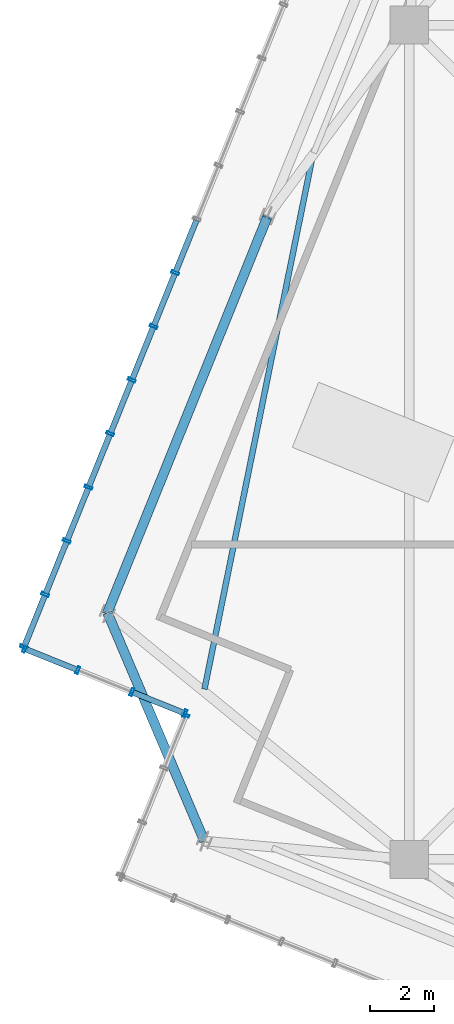
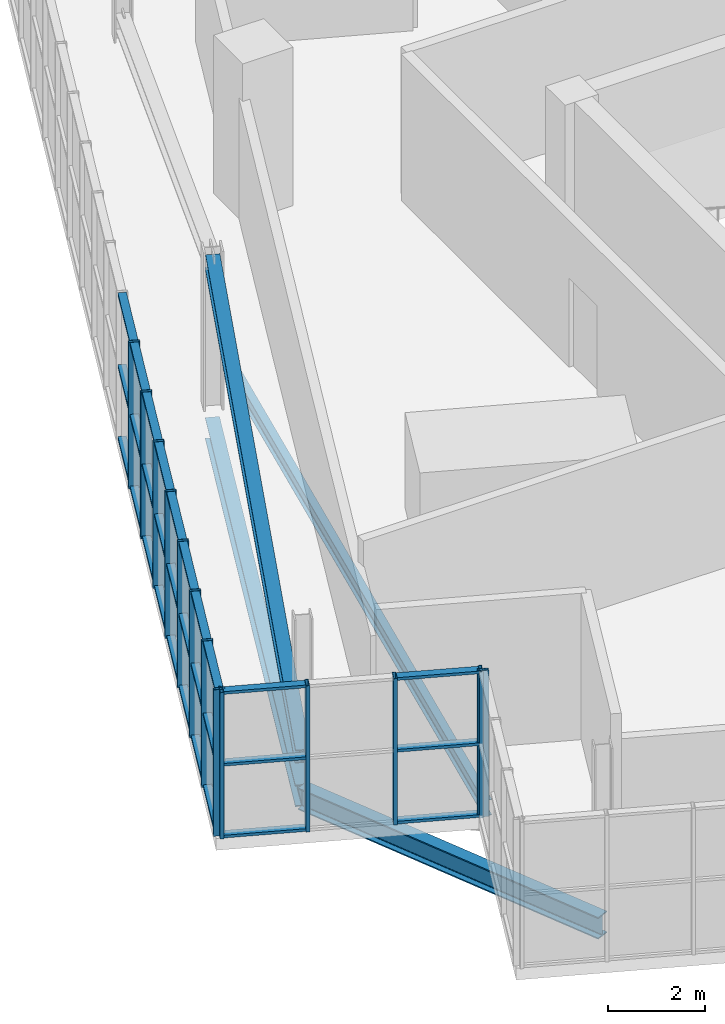
# One storey, part 6 of 26: 44 members, 3 beams, 3 elements without a shape of their own.
"""IFC4 building model written with IfcOpenShell, lengths in metres."""

from ifc_helpers import new_model, si_unit, direction, frame, origin, origin_2d, place, context, subcontext, project, spatial, hollow_rectangle, i_section, extrude, source, transform, mapped, material, layer, layer_set, material_profile, profile_set, type_object, element, aggregate, save


model = new_model("IFC4")

# Units and contexts
model_context = context("Model", 3, precision=1e-05, world=origin(), true_north=direction((0.0, 1.0)))
body_context = subcontext(model_context, "Body", "Model", "MODEL_VIEW")
ifc_project = project(units=[si_unit("LENGTHUNIT", "METRE"), si_unit("AREAUNIT", "SQUARE_METRE"), si_unit("VOLUMEUNIT", "CUBIC_METRE"), si_unit("PLANEANGLEUNIT", "RADIAN"), si_unit("MASSUNIT", "GRAM", prefix="KILO"), si_unit("THERMODYNAMICTEMPERATUREUNIT", "KELVIN")], contexts=[model_context])

# Site, building, storey
site_placement = place(None, origin())
site = spatial("IfcSite", under=ifc_project, at=site_placement, CompositionType="ELEMENT")
building_placement = place(site_placement, origin())
building = spatial("IfcBuilding", under=site, at=building_placement, Name="Kosmvard Interchange Tower", CompositionType="ELEMENT")
storey_placement = place(building_placement, frame((0.0, 0.0, 329.60009765625)))
storey = spatial("IfcBuildingStorey", under=building, at=storey_placement, Name="L81", CompositionType="ELEMENT", Elevation=329.60009765625)

# Member
ifc_material_1 = material(Name="Steel S355", Category="steel")
ifc_material_profile_1 = material_profile(ifc_material_1, i_section(OverallWidth=0.300048828125, OverallDepth=0.39990234375, WebThickness=0.013427734375, FlangeThickness=0.02392578125, FilletRadius=0.027099609375, at=origin_2d()), Name="HEB 400")
ifc_profile_set_1 = profile_set([ifc_material_profile_1], Name="Steel S355")
member_type_1 = type_object("IfcMemberType", Name="Lantern Crown Diagrid Brace HEB 400 S355", PredefinedType="BRACE", material=ifc_profile_set_1)
shared_shape_1 = source(origin(), body_context, "Body", "SweptSolid", [
    extrude(i_section(OverallWidth=0.300048828125, OverallDepth=0.39990234375, WebThickness=0.013427734375, FlangeThickness=0.02392578125, FilletRadius=0.027099609375, at=origin_2d()), origin(), (0.0, 0.0, 1.0), 13.783935546875),
])
member_1_placement = place(storey_placement, frame((-22.54345703125, -5.34423828125, 0.419921875), z_axis=(0.364177999122, 0.901367558742, 0.234330768366), x_axis=(-0.927183187789, 0.374608243744, 0.0)))
element("IfcMember", 1, at=member_1_placement, inside=storey, type_object=member_type_1, Name="L81 Crown Lantern Diagrid Brace N2", PredefinedType="BRACE", context=body_context, shape_type="MappedRepresentation", body=[
    mapped(shared_shape_1, transform((0.0, 0.0, 0.0), scale=1.0)),
])

# Beams
ifc_material_profile_2 = material_profile(ifc_material_1, i_section(OverallWidth=0.300048828125, OverallDepth=0.550048828125, WebThickness=0.014892578125, FlangeThickness=0.029052734375, FilletRadius=0.027099609375, at=origin_2d()), Name="HEB 550")
ifc_profile_set_2 = profile_set([ifc_material_profile_2], Name="Steel S355")
beam_type_1 = type_object("IfcBeamType", Name="Crown Ring Cap Girder HEB 550 S355", PredefinedType="BEAM", material=ifc_profile_set_2)
shared_shape_2 = source(origin(), body_context, "Body", "SweptSolid", [
    extrude(i_section(OverallWidth=0.300048828125, OverallDepth=0.550048828125, WebThickness=0.014892578125, FlangeThickness=0.029052734375, FilletRadius=0.027099609375, at=origin_2d()), origin(), (0.0, 0.0, 1.0), 13.400146484375),
])
beam_1_placement = place(storey_placement, frame((-17.523681640625, 7.080078125, -0.5751953125), z_axis=(-0.374608243744, -0.927183187789, 0.0), x_axis=(0.927183187789, -0.374608243744, 0.0)))
element("IfcBeam", 2, at=beam_1_placement, inside=storey, type_object=beam_type_1, Name="BM-L81-PR08", PredefinedType="BEAM", context=body_context, shape_type="MappedRepresentation", body=[
    mapped(shared_shape_2, transform((0.0, 0.0, 0.0), scale=1.0)),
])
shared_shape_3 = source(origin(), body_context, "Body", "SweptSolid", [
    extrude(i_section(OverallWidth=0.300048828125, OverallDepth=0.550048828125, WebThickness=0.014892578125, FlangeThickness=0.029052734375, FilletRadius=0.027099609375, at=origin_2d()), origin(), (0.0, 0.0, 1.0), 7.778076171875),
])
beam_2_placement = place(storey_placement, frame((-22.54345703125, -5.34423828125, -0.5751953125), z_axis=(0.39071589075, -0.92051132134, 0.0), x_axis=(0.92051132134, 0.39071589075, 0.0)))
element("IfcBeam", 3, at=beam_2_placement, inside=storey, type_object=beam_type_1, Name="BM-L81-PR09", PredefinedType="BEAM", context=body_context, shape_type="MappedRepresentation", body=[
    mapped(shared_shape_3, transform((0.0, 0.0, 0.0), scale=1.0)),
])
ifc_material_profile_3 = material_profile(ifc_material_1, i_section(OverallWidth=0.179931640625, OverallDepth=0.39990234375, WebThickness=0.008544921875, FlangeThickness=0.013427734375, FilletRadius=0.02099609375, at=origin_2d()), Name="IPE 400")
ifc_profile_set_3 = profile_set([ifc_material_profile_3], Name="Steel S355")
beam_type_2 = type_object("IfcBeamType", Name="Upper-Zone Floor Joist IPE 400 S355", PredefinedType="JOIST", material=ifc_profile_set_3)
shared_shape_4 = source(origin(), body_context, "Body", "SweptSolid", [
    extrude(i_section(OverallWidth=0.179931640625, OverallDepth=0.39990234375, WebThickness=0.008544921875, FlangeThickness=0.013427734375, FilletRadius=0.02099609375, at=origin_2d()), origin(), (0.0, 0.0, 1.0), 17.0029296875),
])
beam_3_placement = place(storey_placement, frame((-16.117919921875, 8.921875, -0.5), z_axis=(-0.198882162837, -0.98002341059, 0.0), x_axis=(0.98002341059, -0.198882162837, 0.0)))
element("IfcBeam", 4, at=beam_3_placement, inside=storey, type_object=beam_type_2, Name="BM-L81-FJ06", PredefinedType="JOIST", context=body_context, shape_type="MappedRepresentation", body=[
    mapped(shared_shape_4, transform((0.0, 0.0, 0.0), scale=1.0)),
])

# Curtain wall, members
ifc_material_2 = material(Name="Architectural anodised aluminium", Category="aluminium")
ifc_layer = layer(ifc_material_2, 0.25, Name="Architectural anodised aluminium")
ifc_layer_set = layer_set([ifc_layer], Name="Architectural anodised aluminium")
curtain_wall_type = type_object("IfcCurtainWallType", Name="CW-6 Illuminated Crown Lantern Curtain Wall", PredefinedType="NOTDEFINED", material=ifc_layer_set)
curtain_wall_1_placement = place(storey_placement, origin())
curtain_wall_1 = element("IfcCurtainWall", 5, at=curtain_wall_1_placement, inside=storey, type_object=curtain_wall_type, Name="L81 Crown Lantern Glazing Face 07", PredefinedType="NOTDEFINED")
ifc_material_profile_4 = material_profile(ifc_material_2, hollow_rectangle(XDim=0.239990234375, YDim=0.080078125, WallThickness=0.006103515625, at=origin_2d()), Name="CWM 240x80x6")
ifc_profile_set_4 = profile_set([ifc_material_profile_4], Name="Architectural anodised aluminium")
member_type_2 = type_object("IfcMemberType", Name="Lantern & Observation CW Mullion 240x80 Aluminium", PredefinedType="MULLION", material=ifc_profile_set_4)
shared_shape_5 = source(origin(), body_context, "Body", "SweptSolid", [
    extrude(hollow_rectangle(XDim=0.239990234375, YDim=0.080078125, WallThickness=0.006103515625, at=origin_2d()), origin(), (0.0, 0.0, 1.0), 3.699951171875),
])
member_2_placement = place(storey_placement, frame((-20.416015625, 5.313720703125, 0.0), z_axis=(0.0, 0.0, 1.0), x_axis=(0.927183858065, -0.374606584758, 0.0)))
member_2 = element("IfcMember", 6, at=member_2_placement, type_object=member_type_2, Name="CW-6 mullion 11", PredefinedType="MULLION", context=body_context, shape_type="MappedRepresentation", body=[
    mapped(shared_shape_5, transform((0.0, 0.0, 0.0), scale=1.0)),
])
member_3_placement = place(storey_placement, frame((-21.095703125, 3.6318359375, 0.0), z_axis=(0.0, 0.0, 1.0), x_axis=(0.927183858065, -0.374606584758, 0.0)))
member_3 = element("IfcMember", 7, at=member_3_placement, type_object=member_type_2, Name="CW-6 mullion 12", PredefinedType="MULLION", context=body_context, shape_type="MappedRepresentation", body=[
    mapped(shared_shape_5, transform((0.0, 0.0, 0.0), scale=1.0)),
])
member_4_placement = place(storey_placement, frame((-21.775146484375, 1.94970703125, 0.0), z_axis=(0.0, 0.0, 1.0), x_axis=(0.927183858065, -0.374606584758, 0.0)))
member_4 = element("IfcMember", 8, at=member_4_placement, type_object=member_type_2, Name="CW-6 mullion 13", PredefinedType="MULLION", context=body_context, shape_type="MappedRepresentation", body=[
    mapped(shared_shape_5, transform((0.0, 0.0, 0.0), scale=1.0)),
])
member_5_placement = place(storey_placement, frame((-22.454833984375, 0.267578125, 0.0), z_axis=(0.0, 0.0, 1.0), x_axis=(0.927183858065, -0.374606584758, 0.0)))
member_5 = element("IfcMember", 9, at=member_5_placement, type_object=member_type_2, Name="CW-6 mullion 14", PredefinedType="MULLION", context=body_context, shape_type="MappedRepresentation", body=[
    mapped(shared_shape_5, transform((0.0, 0.0, 0.0), scale=1.0)),
])
member_6_placement = place(storey_placement, frame((-23.13427734375, -1.414306640625, 0.0), z_axis=(0.0, 0.0, 1.0), x_axis=(0.927183858065, -0.374606584758, 0.0)))
member_6 = element("IfcMember", 10, at=member_6_placement, type_object=member_type_2, Name="CW-6 mullion 15", PredefinedType="MULLION", context=body_context, shape_type="MappedRepresentation", body=[
    mapped(shared_shape_5, transform((0.0, 0.0, 0.0), scale=1.0)),
])
member_7_placement = place(storey_placement, frame((-23.81396484375, -3.096435546875, 0.0), z_axis=(0.0, 0.0, 1.0), x_axis=(0.927183858065, -0.374606584758, 0.0)))
member_7 = element("IfcMember", 11, at=member_7_placement, type_object=member_type_2, Name="CW-6 mullion 16", PredefinedType="MULLION", context=body_context, shape_type="MappedRepresentation", body=[
    mapped(shared_shape_5, transform((0.0, 0.0, 0.0), scale=1.0)),
])
member_8_placement = place(storey_placement, frame((-24.49365234375, -4.7783203125, 0.0), z_axis=(0.0, 0.0, 1.0), x_axis=(0.927183858065, -0.374606584758, 0.0)))
member_8 = element("IfcMember", 12, at=member_8_placement, type_object=member_type_2, Name="CW-6 mullion 17", PredefinedType="MULLION", context=body_context, shape_type="MappedRepresentation", body=[
    mapped(shared_shape_5, transform((0.0, 0.0, 0.0), scale=1.0)),
])
member_9_placement = place(storey_placement, frame((-25.158203125, -6.42333984375, 0.0), z_axis=(0.0, 0.0, 1.0), x_axis=(0.927183858065, -0.374606584758, 0.0)))
member_9 = element("IfcMember", 13, at=member_9_placement, type_object=member_type_2, Name="CW-6 mullion 18", PredefinedType="MULLION", context=body_context, shape_type="MappedRepresentation", body=[
    mapped(shared_shape_5, transform((0.0, 0.0, 0.0), scale=1.0)),
])

curtain_wall_2_placement = place(storey_placement, origin())
curtain_wall_2 = element("IfcCurtainWall", 14, at=curtain_wall_2_placement, inside=storey, type_object=curtain_wall_type, Name="L81 Crown Lantern Glazing Face 08", PredefinedType="NOTDEFINED")
member_10_placement = place(storey_placement, frame((-25.135986328125, -6.475341796875, 0.0), z_axis=(0.0, 0.0, 1.0), x_axis=(0.374606564822, 0.92718386612, 0.0)))
member_10 = element("IfcMember", 15, at=member_10_placement, type_object=member_type_2, Name="CW-6 mullion 1", PredefinedType="MULLION", context=body_context, shape_type="MappedRepresentation", body=[
    mapped(shared_shape_5, transform((0.0, 0.0, 0.0), scale=1.0)),
])
member_11_placement = place(storey_placement, frame((-23.473388671875, -7.147216796875, 0.0), z_axis=(0.0, 0.0, 1.0), x_axis=(0.374606564822, 0.92718386612, 0.0)))
member_11 = element("IfcMember", 16, at=member_11_placement, type_object=member_type_2, Name="CW-6 mullion 2", PredefinedType="MULLION", context=body_context, shape_type="MappedRepresentation", body=[
    mapped(shared_shape_5, transform((0.0, 0.0, 0.0), scale=1.0)),
])
member_12_placement = place(storey_placement, frame((-21.7734375, -7.833984375, 0.0), z_axis=(0.0, 0.0, 1.0), x_axis=(0.374606564822, 0.92718386612, 0.0)))
member_12 = element("IfcMember", 17, at=member_12_placement, type_object=member_type_2, Name="CW-6 mullion 3", PredefinedType="MULLION", context=body_context, shape_type="MappedRepresentation", body=[
    mapped(shared_shape_5, transform((0.0, 0.0, 0.0), scale=1.0)),
])
member_13_placement = place(storey_placement, frame((-20.110595703125, -8.505859375, 0.0), z_axis=(0.0, 0.0, 1.0), x_axis=(0.374606564822, 0.92718386612, 0.0)))
member_13 = element("IfcMember", 18, at=member_13_placement, type_object=member_type_2, Name="CW-6 mullion 4", PredefinedType="MULLION", context=body_context, shape_type="MappedRepresentation", body=[
    mapped(shared_shape_5, transform((0.0, 0.0, 0.0), scale=1.0)),
])

# Curtain wall, member
curtain_wall_3_placement = place(storey_placement, origin())
curtain_wall_3 = element("IfcCurtainWall", 19, at=curtain_wall_3_placement, inside=storey, type_object=curtain_wall_type, Name="L81 Crown Lantern Glazing Face 09", PredefinedType="NOTDEFINED")
member_14_placement = place(storey_placement, frame((-20.088623046875, -8.557861328125, 0.0), z_axis=(0.0, 0.0, 1.0), x_axis=(0.927183891631, -0.374606501678, 0.0)))
member_14 = element("IfcMember", 20, at=member_14_placement, type_object=member_type_2, Name="CW-6 mullion 1", PredefinedType="MULLION", context=body_context, shape_type="MappedRepresentation", body=[
    mapped(shared_shape_5, transform((0.0, 0.0, 0.0), scale=1.0)),
])
aggregate(curtain_wall_3, [member_14])

# Member
ifc_material_profile_5 = material_profile(ifc_material_2, hollow_rectangle(XDim=0.179931640625, YDim=0.070068359375, WallThickness=0.0048828125, at=origin_2d()), Name="CWT 180x70x5")
ifc_profile_set_5 = profile_set([ifc_material_profile_5], Name="Architectural anodised aluminium")
member_type_3 = type_object("IfcMemberType", Name="Heavy Lantern CW Transom 180x70 Aluminium", PredefinedType="USERDEFINED", material=ifc_profile_set_5)
shared_shape_6 = source(origin(), body_context, "Body", "SweptSolid", [
    extrude(hollow_rectangle(XDim=0.179931640625, YDim=0.070068359375, WallThickness=0.0048828125, at=origin_2d()), origin(), (0.0, 0.0, 1.0), 1.694091796875),
])
member_15_placement = place(storey_placement, frame((-24.508544921875, -4.8154296875, 0.034912109375), z_axis=(-0.374544061831, -0.927209116514, 0.0), x_axis=(0.927209116514, -0.374544061831, 0.0)))
member_15 = element("IfcMember", 21, at=member_15_placement, type_object=member_type_3, Name="CW-6 transom 17.1", ObjectType="TRANSOM", PredefinedType="USERDEFINED", context=body_context, shape_type="MappedRepresentation", body=[
    mapped(shared_shape_6, transform((0.0, 0.0, 0.0), scale=1.0)),
])

member_16_placement = place(storey_placement, frame((-24.508544921875, -4.8154296875, 1.849853515625), z_axis=(-0.374544061831, -0.927209116514, 0.0), x_axis=(0.927209116514, -0.374544061831, 0.0)))
member_16 = element("IfcMember", 22, at=member_16_placement, type_object=member_type_3, Name="CW-6 transom 17.2", ObjectType="TRANSOM", PredefinedType="USERDEFINED", context=body_context, shape_type="MappedRepresentation", body=[
    mapped(shared_shape_6, transform((0.0, 0.0, 0.0), scale=1.0)),
])

member_17_placement = place(storey_placement, frame((-24.508544921875, -4.8154296875, 3.664794921875), z_axis=(-0.374544061831, -0.927209116514, 0.0), x_axis=(0.927209116514, -0.374544061831, 0.0)))
member_17 = element("IfcMember", 23, at=member_17_placement, type_object=member_type_3, Name="CW-6 transom 17.3", ObjectType="TRANSOM", PredefinedType="USERDEFINED", context=body_context, shape_type="MappedRepresentation", body=[
    mapped(shared_shape_6, transform((0.0, 0.0, 0.0), scale=1.0)),
])

shared_shape_7 = source(origin(), body_context, "Body", "SweptSolid", [
    extrude(hollow_rectangle(XDim=0.179931640625, YDim=0.070068359375, WallThickness=0.0048828125, at=origin_2d()), origin(), (0.0, 0.0, 1.0), 1.734130859375),
])
member_18_placement = place(storey_placement, frame((-19.75146484375, 6.958740234375, 0.034912109375), z_axis=(-0.374616671924, -0.927179782522, 0.0), x_axis=(0.927179782522, -0.374616671924, 0.0)))
member_18 = element("IfcMember", 24, at=member_18_placement, type_object=member_type_3, Name="CW-6 transom 10.1", ObjectType="TRANSOM", PredefinedType="USERDEFINED", context=body_context, shape_type="MappedRepresentation", body=[
    mapped(shared_shape_7, transform((0.0, 0.0, 0.0), scale=1.0)),
])

member_19_placement = place(storey_placement, frame((-19.75146484375, 6.958740234375, 1.849853515625), z_axis=(-0.374616671924, -0.927179782522, 0.0), x_axis=(0.927179782522, -0.374616671924, 0.0)))
member_19 = element("IfcMember", 25, at=member_19_placement, type_object=member_type_3, Name="CW-6 transom 10.2", ObjectType="TRANSOM", PredefinedType="USERDEFINED", context=body_context, shape_type="MappedRepresentation", body=[
    mapped(shared_shape_7, transform((0.0, 0.0, 0.0), scale=1.0)),
])

member_20_placement = place(storey_placement, frame((-19.75146484375, 6.958740234375, 3.664794921875), z_axis=(-0.374616671924, -0.927179782522, 0.0), x_axis=(0.927179782522, -0.374616671924, 0.0)))
member_20 = element("IfcMember", 26, at=member_20_placement, type_object=member_type_3, Name="CW-6 transom 10.3", ObjectType="TRANSOM", PredefinedType="USERDEFINED", context=body_context, shape_type="MappedRepresentation", body=[
    mapped(shared_shape_7, transform((0.0, 0.0, 0.0), scale=1.0)),
])

member_21_placement = place(storey_placement, frame((-20.43115234375, 5.276611328125, 0.034912109375), z_axis=(-0.374495638732, -0.927228675447, 0.0), x_axis=(0.927228675447, -0.374495638732, 0.0)))
member_21 = element("IfcMember", 27, at=member_21_placement, type_object=member_type_3, Name="CW-6 transom 11.1", ObjectType="TRANSOM", PredefinedType="USERDEFINED", context=body_context, shape_type="MappedRepresentation", body=[
    mapped(shared_shape_7, transform((0.0, 0.0, 0.0), scale=1.0)),
])

member_22_placement = place(storey_placement, frame((-20.43115234375, 5.276611328125, 1.849853515625), z_axis=(-0.374495638732, -0.927228675447, 0.0), x_axis=(0.927228675447, -0.374495638732, 0.0)))
member_22 = element("IfcMember", 28, at=member_22_placement, type_object=member_type_3, Name="CW-6 transom 11.2", ObjectType="TRANSOM", PredefinedType="USERDEFINED", context=body_context, shape_type="MappedRepresentation", body=[
    mapped(shared_shape_7, transform((0.0, 0.0, 0.0), scale=1.0)),
])

member_23_placement = place(storey_placement, frame((-20.43115234375, 5.276611328125, 3.664794921875), z_axis=(-0.374495638732, -0.927228675447, 0.0), x_axis=(0.927228675447, -0.374495638732, 0.0)))
member_23 = element("IfcMember", 29, at=member_23_placement, type_object=member_type_3, Name="CW-6 transom 11.3", ObjectType="TRANSOM", PredefinedType="USERDEFINED", context=body_context, shape_type="MappedRepresentation", body=[
    mapped(shared_shape_7, transform((0.0, 0.0, 0.0), scale=1.0)),
])

member_24_placement = place(storey_placement, frame((-21.110595703125, 3.5947265625, 0.034912109375), z_axis=(-0.374616671924, -0.927179782522, 0.0), x_axis=(0.927179782522, -0.374616671924, 0.0)))
member_24 = element("IfcMember", 30, at=member_24_placement, type_object=member_type_3, Name="CW-6 transom 12.1", ObjectType="TRANSOM", PredefinedType="USERDEFINED", context=body_context, shape_type="MappedRepresentation", body=[
    mapped(shared_shape_7, transform((0.0, 0.0, 0.0), scale=1.0)),
])

member_25_placement = place(storey_placement, frame((-21.110595703125, 3.5947265625, 1.849853515625), z_axis=(-0.374616671924, -0.927179782522, 0.0), x_axis=(0.927179782522, -0.374616671924, 0.0)))
member_25 = element("IfcMember", 31, at=member_25_placement, type_object=member_type_3, Name="CW-6 transom 12.2", ObjectType="TRANSOM", PredefinedType="USERDEFINED", context=body_context, shape_type="MappedRepresentation", body=[
    mapped(shared_shape_7, transform((0.0, 0.0, 0.0), scale=1.0)),
])

member_26_placement = place(storey_placement, frame((-21.110595703125, 3.5947265625, 3.664794921875), z_axis=(-0.374616671924, -0.927179782522, 0.0), x_axis=(0.927179782522, -0.374616671924, 0.0)))
member_26 = element("IfcMember", 32, at=member_26_placement, type_object=member_type_3, Name="CW-6 transom 12.3", ObjectType="TRANSOM", PredefinedType="USERDEFINED", context=body_context, shape_type="MappedRepresentation", body=[
    mapped(shared_shape_7, transform((0.0, 0.0, 0.0), scale=1.0)),
])

member_27_placement = place(storey_placement, frame((-21.790283203125, 1.91259765625, 0.034912109375), z_axis=(-0.374495638732, -0.927228675447, 0.0), x_axis=(0.927228675447, -0.374495638732, 0.0)))
member_27 = element("IfcMember", 33, at=member_27_placement, type_object=member_type_3, Name="CW-6 transom 13.1", ObjectType="TRANSOM", PredefinedType="USERDEFINED", context=body_context, shape_type="MappedRepresentation", body=[
    mapped(shared_shape_7, transform((0.0, 0.0, 0.0), scale=1.0)),
])

member_28_placement = place(storey_placement, frame((-21.790283203125, 1.91259765625, 1.849853515625), z_axis=(-0.374495638732, -0.927228675447, 0.0), x_axis=(0.927228675447, -0.374495638732, 0.0)))
member_28 = element("IfcMember", 34, at=member_28_placement, type_object=member_type_3, Name="CW-6 transom 13.2", ObjectType="TRANSOM", PredefinedType="USERDEFINED", context=body_context, shape_type="MappedRepresentation", body=[
    mapped(shared_shape_7, transform((0.0, 0.0, 0.0), scale=1.0)),
])

member_29_placement = place(storey_placement, frame((-21.790283203125, 1.91259765625, 3.664794921875), z_axis=(-0.374495638732, -0.927228675447, 0.0), x_axis=(0.927228675447, -0.374495638732, 0.0)))
member_29 = element("IfcMember", 35, at=member_29_placement, type_object=member_type_3, Name="CW-6 transom 13.3", ObjectType="TRANSOM", PredefinedType="USERDEFINED", context=body_context, shape_type="MappedRepresentation", body=[
    mapped(shared_shape_7, transform((0.0, 0.0, 0.0), scale=1.0)),
])

member_30_placement = place(storey_placement, frame((-23.1494140625, -1.451416015625, 0.034912109375), z_axis=(-0.374616671924, -0.927179782522, 0.0), x_axis=(0.927179782522, -0.374616671924, 0.0)))
member_30 = element("IfcMember", 36, at=member_30_placement, type_object=member_type_3, Name="CW-6 transom 15.1", ObjectType="TRANSOM", PredefinedType="USERDEFINED", context=body_context, shape_type="MappedRepresentation", body=[
    mapped(shared_shape_7, transform((0.0, 0.0, 0.0), scale=1.0)),
])

member_31_placement = place(storey_placement, frame((-23.1494140625, -1.451416015625, 1.849853515625), z_axis=(-0.374616671924, -0.927179782522, 0.0), x_axis=(0.927179782522, -0.374616671924, 0.0)))
member_31 = element("IfcMember", 37, at=member_31_placement, type_object=member_type_3, Name="CW-6 transom 15.2", ObjectType="TRANSOM", PredefinedType="USERDEFINED", context=body_context, shape_type="MappedRepresentation", body=[
    mapped(shared_shape_7, transform((0.0, 0.0, 0.0), scale=1.0)),
])

member_32_placement = place(storey_placement, frame((-23.1494140625, -1.451416015625, 3.664794921875), z_axis=(-0.374616671924, -0.927179782522, 0.0), x_axis=(0.927179782522, -0.374616671924, 0.0)))
member_32 = element("IfcMember", 38, at=member_32_placement, type_object=member_type_3, Name="CW-6 transom 15.3", ObjectType="TRANSOM", PredefinedType="USERDEFINED", context=body_context, shape_type="MappedRepresentation", body=[
    mapped(shared_shape_7, transform((0.0, 0.0, 0.0), scale=1.0)),
])

shared_shape_8 = source(origin(), body_context, "Body", "SweptSolid", [
    extrude(hollow_rectangle(XDim=0.179931640625, YDim=0.070068359375, WallThickness=0.0048828125, at=origin_2d()), origin(), (0.0, 0.0, 1.0), 1.73388671875),
])
member_33_placement = place(storey_placement, frame((-22.4697265625, 0.23046875, 0.034912109375), z_axis=(-0.374665576032, -0.927160021861, 0.0), x_axis=(0.927160021861, -0.374665576032, 0.0)))
member_33 = element("IfcMember", 39, at=member_33_placement, type_object=member_type_3, Name="CW-6 transom 14.1", ObjectType="TRANSOM", PredefinedType="USERDEFINED", context=body_context, shape_type="MappedRepresentation", body=[
    mapped(shared_shape_8, transform((0.0, 0.0, 0.0), scale=1.0)),
])

member_34_placement = place(storey_placement, frame((-22.4697265625, 0.23046875, 1.849853515625), z_axis=(-0.374665576032, -0.927160021861, 0.0), x_axis=(0.927160021861, -0.374665576032, 0.0)))
member_34 = element("IfcMember", 40, at=member_34_placement, type_object=member_type_3, Name="CW-6 transom 14.2", ObjectType="TRANSOM", PredefinedType="USERDEFINED", context=body_context, shape_type="MappedRepresentation", body=[
    mapped(shared_shape_8, transform((0.0, 0.0, 0.0), scale=1.0)),
])

member_35_placement = place(storey_placement, frame((-22.4697265625, 0.23046875, 3.664794921875), z_axis=(-0.374665576032, -0.927160021861, 0.0), x_axis=(0.927160021861, -0.374665576032, 0.0)))
member_35 = element("IfcMember", 41, at=member_35_placement, type_object=member_type_3, Name="CW-6 transom 14.3", ObjectType="TRANSOM", PredefinedType="USERDEFINED", context=body_context, shape_type="MappedRepresentation", body=[
    mapped(shared_shape_8, transform((0.0, 0.0, 0.0), scale=1.0)),
])

member_36_placement = place(storey_placement, frame((-23.828857421875, -3.133544921875, 0.034912109375), z_axis=(-0.374665576032, -0.927160021861, 0.0), x_axis=(0.927160021861, -0.374665576032, 0.0)))
member_36 = element("IfcMember", 42, at=member_36_placement, type_object=member_type_3, Name="CW-6 transom 16.1", ObjectType="TRANSOM", PredefinedType="USERDEFINED", context=body_context, shape_type="MappedRepresentation", body=[
    mapped(shared_shape_8, transform((0.0, 0.0, 0.0), scale=1.0)),
])

member_37_placement = place(storey_placement, frame((-23.828857421875, -3.133544921875, 1.849853515625), z_axis=(-0.374665576032, -0.927160021861, 0.0), x_axis=(0.927160021861, -0.374665576032, 0.0)))
member_37 = element("IfcMember", 43, at=member_37_placement, type_object=member_type_3, Name="CW-6 transom 16.2", ObjectType="TRANSOM", PredefinedType="USERDEFINED", context=body_context, shape_type="MappedRepresentation", body=[
    mapped(shared_shape_8, transform((0.0, 0.0, 0.0), scale=1.0)),
])

member_38_placement = place(storey_placement, frame((-23.828857421875, -3.133544921875, 3.664794921875), z_axis=(-0.374665576032, -0.927160021861, 0.0), x_axis=(0.927160021861, -0.374665576032, 0.0)))
member_38 = element("IfcMember", 44, at=member_38_placement, type_object=member_type_3, Name="CW-6 transom 16.3", ObjectType="TRANSOM", PredefinedType="USERDEFINED", context=body_context, shape_type="MappedRepresentation", body=[
    mapped(shared_shape_8, transform((0.0, 0.0, 0.0), scale=1.0)),
])

aggregate(curtain_wall_1, [member_2, member_3, member_4, member_5, member_6, member_7, member_8, member_9, member_18, member_19, member_20, member_21, member_22, member_23, member_24, member_25, member_26, member_27, member_28, member_29, member_33, member_34, member_35, member_30, member_31, member_32, member_36, member_37, member_38, member_15, member_16, member_17])

shared_shape_9 = source(origin(), body_context, "Body", "SweptSolid", [
    extrude(hollow_rectangle(XDim=0.179931640625, YDim=0.070068359375, WallThickness=0.0048828125, at=origin_2d()), origin(), (0.0, 0.0, 1.0), 1.71337890625),
])
member_39_placement = place(storey_placement, frame((-25.098876953125, -6.490478515625, 0.034912109375), z_axis=(0.927233273404, -0.374484254265, 0.0), x_axis=(0.374484254265, 0.927233273404, 0.0)))
member_39 = element("IfcMember", 45, at=member_39_placement, type_object=member_type_3, Name="CW-6 transom 1.1", ObjectType="TRANSOM", PredefinedType="USERDEFINED", context=body_context, shape_type="MappedRepresentation", body=[
    mapped(shared_shape_9, transform((0.0, 0.0, 0.0), scale=1.0)),
])

member_40_placement = place(storey_placement, frame((-25.098876953125, -6.490478515625, 1.849853515625), z_axis=(0.927233273404, -0.374484254265, 0.0), x_axis=(0.374484254265, 0.927233273404, 0.0)))
member_40 = element("IfcMember", 46, at=member_40_placement, type_object=member_type_3, Name="CW-6 transom 1.2", ObjectType="TRANSOM", PredefinedType="USERDEFINED", context=body_context, shape_type="MappedRepresentation", body=[
    mapped(shared_shape_9, transform((0.0, 0.0, 0.0), scale=1.0)),
])

member_41_placement = place(storey_placement, frame((-25.098876953125, -6.490478515625, 3.664794921875), z_axis=(0.927233273404, -0.374484254265, 0.0), x_axis=(0.374484254265, 0.927233273404, 0.0)))
member_41 = element("IfcMember", 47, at=member_41_placement, type_object=member_type_3, Name="CW-6 transom 1.3", ObjectType="TRANSOM", PredefinedType="USERDEFINED", context=body_context, shape_type="MappedRepresentation", body=[
    mapped(shared_shape_9, transform((0.0, 0.0, 0.0), scale=1.0)),
])

member_42_placement = place(storey_placement, frame((-21.736328125, -7.848876953125, 0.034912109375), z_axis=(0.927183787829, -0.374606758599, 0.0), x_axis=(0.374606758599, 0.927183787829, 0.0)))
member_42 = element("IfcMember", 48, at=member_42_placement, type_object=member_type_3, Name="CW-6 transom 3.1", ObjectType="TRANSOM", PredefinedType="USERDEFINED", context=body_context, shape_type="MappedRepresentation", body=[
    mapped(shared_shape_9, transform((0.0, 0.0, 0.0), scale=1.0)),
])

member_43_placement = place(storey_placement, frame((-21.736328125, -7.848876953125, 1.849853515625), z_axis=(0.927183787829, -0.374606758599, 0.0), x_axis=(0.374606758599, 0.927183787829, 0.0)))
member_43 = element("IfcMember", 49, at=member_43_placement, type_object=member_type_3, Name="CW-6 transom 3.2", ObjectType="TRANSOM", PredefinedType="USERDEFINED", context=body_context, shape_type="MappedRepresentation", body=[
    mapped(shared_shape_9, transform((0.0, 0.0, 0.0), scale=1.0)),
])

member_44_placement = place(storey_placement, frame((-21.736328125, -7.848876953125, 3.664794921875), z_axis=(0.927183787829, -0.374606758599, 0.0), x_axis=(0.374606758599, 0.927183787829, 0.0)))
member_44 = element("IfcMember", 50, at=member_44_placement, type_object=member_type_3, Name="CW-6 transom 3.3", ObjectType="TRANSOM", PredefinedType="USERDEFINED", context=body_context, shape_type="MappedRepresentation", body=[
    mapped(shared_shape_9, transform((0.0, 0.0, 0.0), scale=1.0)),
])

aggregate(curtain_wall_2, [member_10, member_11, member_12, member_13, member_39, member_40, member_41, member_42, member_43, member_44])

save(model, "model.ifc")
